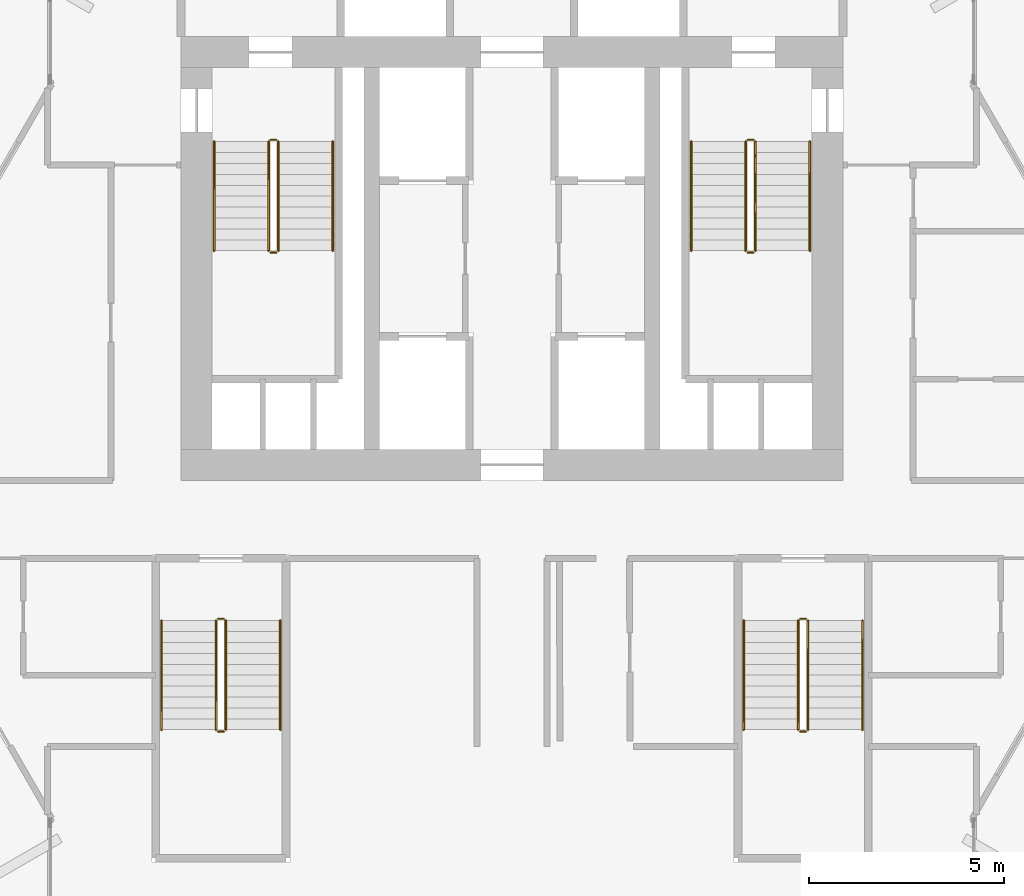
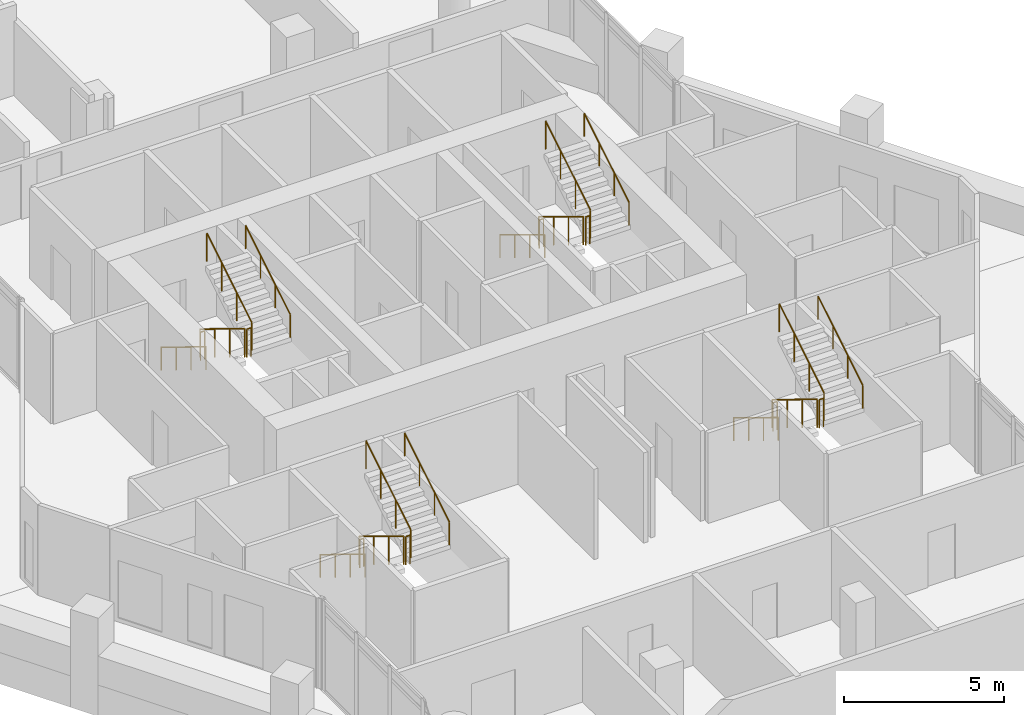
# One storey, part 38 of 38: 24 railings.
"""IFC4 building model written with IfcOpenShell, lengths in metres."""

from ifc_helpers import new_model, si_unit, direction, frame, origin, origin_2d, place, context, subcontext, project, spatial, circle, extrude, material, type_object, element, save


model = new_model("IFC4")

# Units and contexts
model_context = context("Model", 3, precision=1e-05, world=origin(), true_north=direction((0.0, 1.0)))
body_context = subcontext(model_context, "Body", "Model", "MODEL_VIEW")
ifc_project = project(units=[si_unit("LENGTHUNIT", "METRE"), si_unit("AREAUNIT", "SQUARE_METRE"), si_unit("VOLUMEUNIT", "CUBIC_METRE"), si_unit("PLANEANGLEUNIT", "RADIAN"), si_unit("MASSUNIT", "GRAM", prefix="KILO")], contexts=[model_context])

# Site, building, storey
site_placement = place(None, origin())
site = spatial("IfcSite", under=ifc_project, at=site_placement, CompositionType="ELEMENT")
building_placement = place(site_placement, origin())
building = spatial("IfcBuilding", under=site, at=building_placement, Name="Ostrander Bayou Hotel Tower", CompositionType="ELEMENT")
storey_placement = place(building_placement, frame((0.0, 0.0, 194.5)))
storey = spatial("IfcBuildingStorey", under=building, at=storey_placement, Name="L48", CompositionType="ELEMENT", Elevation=194.5)

# Railings
ifc_material_1 = material(Name="Steel ASTM A500 Gr C", Category="steel")
railing_type_1 = type_object("IfcRailingType", Name="GR1 stair guard 1100 mm steel", PredefinedType="GUARDRAIL", material=ifc_material_1)
railing_1_placement = place(storey_placement, frame((-6.25, 7.0, 0.17041015625)))
element("IfcRailing", 1, at=railing_1_placement, inside=storey, type_object=railing_type_1, Name="L48 STA stair guard 1", PredefinedType="GUARDRAIL", context=body_context, shape_type="SweptSolid", body=[
    extrude(circle(Radius=0.02392578125, at=origin_2d()), frame((0.0, 0.0, 1.076171875), z_axis=(0.0, -0.854169791009, 0.51999420009), x_axis=(1.0, 0.0, 0.0)), (0.0, 0.0, 1.0), 3.278076171875),
    extrude(circle(Radius=0.02099609375, at=origin_2d()), origin(), (0.0, 0.0, 1.0), 1.052001953125),
    extrude(circle(Radius=0.02099609375, at=origin_2d()), frame((0.0, -0.933349609375, 0.568115234375)), (0.0, 0.0, 1.0), 1.052001953125),
    extrude(circle(Radius=0.02099609375, at=origin_2d()), frame((0.0, -1.86669921875, 1.136474609375)), (0.0, 0.0, 1.0), 1.052001953125),
    extrude(circle(Radius=0.02099609375, at=origin_2d()), frame((0.0, -2.800048828125, 1.70458984375)), (0.0, 0.0, 1.0), 1.052001953125),
])
railing_2_placement = place(storey_placement, frame((-6.199951171875, 4.14990234375, 1.875)))
element("IfcRailing", 2, at=railing_2_placement, inside=storey, type_object=railing_type_1, Name="L48 STA stair guard 2", PredefinedType="GUARDRAIL", context=body_context, shape_type="SweptSolid", body=[
    extrude(circle(Radius=0.02392578125, at=origin_2d()), frame((0.0, 0.0, 1.076171875), z_axis=(1.0, 0.0, 0.0), x_axis=(0.0, 1.0, 0.0)), (0.0, 0.0, 1.0), 0.14990234375),
    extrude(circle(Radius=0.02099609375, at=origin_2d()), origin(), (0.0, 0.0, 1.0), 1.052001953125),
    extrude(circle(Radius=0.02099609375, at=origin_2d()), frame((0.14990234375, 0.0, 0.0)), (0.0, 0.0, 1.0), 1.052001953125),
])
railing_3_placement = place(storey_placement, frame((-6.0, 4.199951171875, 2.04541015625)))
element("IfcRailing", 3, at=railing_3_placement, inside=storey, type_object=railing_type_1, Name="L48 STA stair guard 3", PredefinedType="GUARDRAIL", context=body_context, shape_type="SweptSolid", body=[
    extrude(circle(Radius=0.02392578125, at=origin_2d()), frame((0.0, 0.0, 1.076171875), z_axis=(0.0, 0.854169791009, 0.51999420009), x_axis=(-1.0, 0.0, 0.0)), (0.0, 0.0, 1.0), 3.278076171875),
    extrude(circle(Radius=0.02099609375, at=origin_2d()), origin(), (0.0, 0.0, 1.0), 1.052001953125),
    extrude(circle(Radius=0.02099609375, at=origin_2d()), frame((0.0, 0.933349609375, 0.568115234375)), (0.0, 0.0, 1.0), 1.052001953125),
    extrude(circle(Radius=0.02099609375, at=origin_2d()), frame((0.0, 1.86669921875, 1.136474609375)), (0.0, 0.0, 1.0), 1.052001953125),
    extrude(circle(Radius=0.02099609375, at=origin_2d()), frame((0.0, 2.800048828125, 1.70458984375)), (0.0, 0.0, 1.0), 1.052001953125),
])
railing_4_placement = place(storey_placement, frame((-6.199951171875, 7.050048828125, 0.0)))
element("IfcRailing", 4, at=railing_4_placement, inside=storey, type_object=railing_type_1, Name="L48 STA stair guard 4", PredefinedType="GUARDRAIL", context=body_context, shape_type="SweptSolid", body=[
    extrude(circle(Radius=0.02392578125, at=origin_2d()), frame((0.0, 0.0, 1.076171875), z_axis=(1.0, 0.0, 0.0), x_axis=(0.0, 1.0, 0.0)), (0.0, 0.0, 1.0), 0.14990234375),
    extrude(circle(Radius=0.02099609375, at=origin_2d()), origin(), (0.0, 0.0, 1.0), 1.052001953125),
    extrude(circle(Radius=0.02099609375, at=origin_2d()), frame((0.14990234375, 0.0, 0.0)), (0.0, 0.0, 1.0), 1.052001953125),
])
railing_5_placement = place(storey_placement, frame((6.0, 7.0, 0.17041015625)))
element("IfcRailing", 5, at=railing_5_placement, inside=storey, type_object=railing_type_1, Name="L48 STB stair guard 1", PredefinedType="GUARDRAIL", context=body_context, shape_type="SweptSolid", body=[
    extrude(circle(Radius=0.02392578125, at=origin_2d()), frame((0.0, 0.0, 1.076171875), z_axis=(0.0, -0.854169791009, 0.51999420009), x_axis=(1.0, 0.0, 0.0)), (0.0, 0.0, 1.0), 3.278076171875),
    extrude(circle(Radius=0.02099609375, at=origin_2d()), origin(), (0.0, 0.0, 1.0), 1.052001953125),
    extrude(circle(Radius=0.02099609375, at=origin_2d()), frame((0.0, -0.933349609375, 0.568115234375)), (0.0, 0.0, 1.0), 1.052001953125),
    extrude(circle(Radius=0.02099609375, at=origin_2d()), frame((0.0, -1.86669921875, 1.136474609375)), (0.0, 0.0, 1.0), 1.052001953125),
    extrude(circle(Radius=0.02099609375, at=origin_2d()), frame((0.0, -2.800048828125, 1.70458984375)), (0.0, 0.0, 1.0), 1.052001953125),
])
railing_6_placement = place(storey_placement, frame((6.050048828125, 4.14990234375, 1.875)))
element("IfcRailing", 6, at=railing_6_placement, inside=storey, type_object=railing_type_1, Name="L48 STB stair guard 2", PredefinedType="GUARDRAIL", context=body_context, shape_type="SweptSolid", body=[
    extrude(circle(Radius=0.02392578125, at=origin_2d()), frame((0.0, 0.0, 1.076171875), z_axis=(1.0, 0.0, 0.0), x_axis=(0.0, 1.0, 0.0)), (0.0, 0.0, 1.0), 0.14990234375),
    extrude(circle(Radius=0.02099609375, at=origin_2d()), origin(), (0.0, 0.0, 1.0), 1.052001953125),
    extrude(circle(Radius=0.02099609375, at=origin_2d()), frame((0.14990234375, 0.0, 0.0)), (0.0, 0.0, 1.0), 1.052001953125),
])
railing_7_placement = place(storey_placement, frame((6.25, 4.199951171875, 2.04541015625)))
element("IfcRailing", 7, at=railing_7_placement, inside=storey, type_object=railing_type_1, Name="L48 STB stair guard 3", PredefinedType="GUARDRAIL", context=body_context, shape_type="SweptSolid", body=[
    extrude(circle(Radius=0.02392578125, at=origin_2d()), frame((0.0, 0.0, 1.076171875), z_axis=(0.0, 0.854169791009, 0.51999420009), x_axis=(-1.0, 0.0, 0.0)), (0.0, 0.0, 1.0), 3.278076171875),
    extrude(circle(Radius=0.02099609375, at=origin_2d()), origin(), (0.0, 0.0, 1.0), 1.052001953125),
    extrude(circle(Radius=0.02099609375, at=origin_2d()), frame((0.0, 0.933349609375, 0.568115234375)), (0.0, 0.0, 1.0), 1.052001953125),
    extrude(circle(Radius=0.02099609375, at=origin_2d()), frame((0.0, 1.86669921875, 1.136474609375)), (0.0, 0.0, 1.0), 1.052001953125),
    extrude(circle(Radius=0.02099609375, at=origin_2d()), frame((0.0, 2.800048828125, 1.70458984375)), (0.0, 0.0, 1.0), 1.052001953125),
])
railing_8_placement = place(storey_placement, frame((6.050048828125, 7.050048828125, 0.0)))
element("IfcRailing", 8, at=railing_8_placement, inside=storey, type_object=railing_type_1, Name="L48 STB stair guard 4", PredefinedType="GUARDRAIL", context=body_context, shape_type="SweptSolid", body=[
    extrude(circle(Radius=0.02392578125, at=origin_2d()), frame((0.0, 0.0, 1.076171875), z_axis=(1.0, 0.0, 0.0), x_axis=(0.0, 1.0, 0.0)), (0.0, 0.0, 1.0), 0.14990234375),
    extrude(circle(Radius=0.02099609375, at=origin_2d()), origin(), (0.0, 0.0, 1.0), 1.052001953125),
    extrude(circle(Radius=0.02099609375, at=origin_2d()), frame((0.14990234375, 0.0, 0.0)), (0.0, 0.0, 1.0), 1.052001953125),
])
railing_9_placement = place(storey_placement, frame((7.35009765625, -5.300048828125, 0.17041015625)))
element("IfcRailing", 9, at=railing_9_placement, inside=storey, type_object=railing_type_1, Name="L48 STC stair guard 1", PredefinedType="GUARDRAIL", context=body_context, shape_type="SweptSolid", body=[
    extrude(circle(Radius=0.02392578125, at=origin_2d()), frame((0.0, 0.0, 1.076171875), z_axis=(0.0, -0.854169791009, 0.51999420009), x_axis=(1.0, 0.0, 0.0)), (0.0, 0.0, 1.0), 3.278076171875),
    extrude(circle(Radius=0.02099609375, at=origin_2d()), origin(), (0.0, 0.0, 1.0), 1.052001953125),
    extrude(circle(Radius=0.02099609375, at=origin_2d()), frame((0.0, -0.933349609375, 0.568115234375)), (0.0, 0.0, 1.0), 1.052001953125),
    extrude(circle(Radius=0.02099609375, at=origin_2d()), frame((0.0, -1.86669921875, 1.136474609375)), (0.0, 0.0, 1.0), 1.052001953125),
    extrude(circle(Radius=0.02099609375, at=origin_2d()), frame((0.0, -2.800048828125, 1.70458984375)), (0.0, 0.0, 1.0), 1.052001953125),
])
railing_10_placement = place(storey_placement, frame((7.39990234375, -8.14990234375, 1.875)))
element("IfcRailing", 10, at=railing_10_placement, inside=storey, type_object=railing_type_1, Name="L48 STC stair guard 2", PredefinedType="GUARDRAIL", context=body_context, shape_type="SweptSolid", body=[
    extrude(circle(Radius=0.02392578125, at=origin_2d()), frame((0.0, 0.0, 1.076171875), z_axis=(1.0, 0.0, 0.0), x_axis=(0.0, 1.0, 0.0)), (0.0, 0.0, 1.0), 0.150146484375),
    extrude(circle(Radius=0.02099609375, at=origin_2d()), origin(), (0.0, 0.0, 1.0), 1.052001953125),
    extrude(circle(Radius=0.02099609375, at=origin_2d()), frame((0.150146484375, 0.0, 0.0)), (0.0, 0.0, 1.0), 1.052001953125),
])
railing_11_placement = place(storey_placement, frame((7.60009765625, -8.10009765625, 2.04541015625)))
element("IfcRailing", 11, at=railing_11_placement, inside=storey, type_object=railing_type_1, Name="L48 STC stair guard 3", PredefinedType="GUARDRAIL", context=body_context, shape_type="SweptSolid", body=[
    extrude(circle(Radius=0.02392578125, at=origin_2d()), frame((0.0, 0.0, 1.076171875), z_axis=(0.0, 0.854169791009, 0.51999420009), x_axis=(-1.0, 0.0, 0.0)), (0.0, 0.0, 1.0), 3.278076171875),
    extrude(circle(Radius=0.02099609375, at=origin_2d()), origin(), (0.0, 0.0, 1.0), 1.052001953125),
    extrude(circle(Radius=0.02099609375, at=origin_2d()), frame((0.0, 0.933349609375, 0.568115234375)), (0.0, 0.0, 1.0), 1.052001953125),
    extrude(circle(Radius=0.02099609375, at=origin_2d()), frame((0.0, 1.86669921875, 1.136474609375)), (0.0, 0.0, 1.0), 1.052001953125),
    extrude(circle(Radius=0.02099609375, at=origin_2d()), frame((0.0, 2.800048828125, 1.70458984375)), (0.0, 0.0, 1.0), 1.052001953125),
])
railing_12_placement = place(storey_placement, frame((7.39990234375, -5.25, 0.0)))
element("IfcRailing", 12, at=railing_12_placement, inside=storey, type_object=railing_type_1, Name="L48 STC stair guard 4", PredefinedType="GUARDRAIL", context=body_context, shape_type="SweptSolid", body=[
    extrude(circle(Radius=0.02392578125, at=origin_2d()), frame((0.0, 0.0, 1.076171875), z_axis=(1.0, 0.0, 0.0), x_axis=(0.0, 1.0, 0.0)), (0.0, 0.0, 1.0), 0.150146484375),
    extrude(circle(Radius=0.02099609375, at=origin_2d()), origin(), (0.0, 0.0, 1.0), 1.052001953125),
    extrude(circle(Radius=0.02099609375, at=origin_2d()), frame((0.150146484375, 0.0, 0.0)), (0.0, 0.0, 1.0), 1.052001953125),
])
railing_13_placement = place(storey_placement, frame((-7.60009765625, -5.300048828125, 0.17041015625)))
element("IfcRailing", 13, at=railing_13_placement, inside=storey, type_object=railing_type_1, Name="L48 STD stair guard 1", PredefinedType="GUARDRAIL", context=body_context, shape_type="SweptSolid", body=[
    extrude(circle(Radius=0.02392578125, at=origin_2d()), frame((0.0, 0.0, 1.076171875), z_axis=(0.0, -0.854169791009, 0.51999420009), x_axis=(1.0, 0.0, 0.0)), (0.0, 0.0, 1.0), 3.278076171875),
    extrude(circle(Radius=0.02099609375, at=origin_2d()), origin(), (0.0, 0.0, 1.0), 1.052001953125),
    extrude(circle(Radius=0.02099609375, at=origin_2d()), frame((0.0, -0.933349609375, 0.568115234375)), (0.0, 0.0, 1.0), 1.052001953125),
    extrude(circle(Radius=0.02099609375, at=origin_2d()), frame((0.0, -1.86669921875, 1.136474609375)), (0.0, 0.0, 1.0), 1.052001953125),
    extrude(circle(Radius=0.02099609375, at=origin_2d()), frame((0.0, -2.800048828125, 1.70458984375)), (0.0, 0.0, 1.0), 1.052001953125),
])
railing_14_placement = place(storey_placement, frame((-7.550048828125, -8.14990234375, 1.875)))
element("IfcRailing", 14, at=railing_14_placement, inside=storey, type_object=railing_type_1, Name="L48 STD stair guard 2", PredefinedType="GUARDRAIL", context=body_context, shape_type="SweptSolid", body=[
    extrude(circle(Radius=0.02392578125, at=origin_2d()), frame((0.0, 0.0, 1.076171875), z_axis=(1.0, 0.0, 0.0), x_axis=(0.0, 1.0, 0.0)), (0.0, 0.0, 1.0), 0.150146484375),
    extrude(circle(Radius=0.02099609375, at=origin_2d()), origin(), (0.0, 0.0, 1.0), 1.052001953125),
    extrude(circle(Radius=0.02099609375, at=origin_2d()), frame((0.150146484375, 0.0, 0.0)), (0.0, 0.0, 1.0), 1.052001953125),
])
railing_15_placement = place(storey_placement, frame((-7.35009765625, -8.10009765625, 2.04541015625)))
element("IfcRailing", 15, at=railing_15_placement, inside=storey, type_object=railing_type_1, Name="L48 STD stair guard 3", PredefinedType="GUARDRAIL", context=body_context, shape_type="SweptSolid", body=[
    extrude(circle(Radius=0.02392578125, at=origin_2d()), frame((0.0, 0.0, 1.076171875), z_axis=(0.0, 0.854169791009, 0.51999420009), x_axis=(-1.0, 0.0, 0.0)), (0.0, 0.0, 1.0), 3.278076171875),
    extrude(circle(Radius=0.02099609375, at=origin_2d()), origin(), (0.0, 0.0, 1.0), 1.052001953125),
    extrude(circle(Radius=0.02099609375, at=origin_2d()), frame((0.0, 0.933349609375, 0.568115234375)), (0.0, 0.0, 1.0), 1.052001953125),
    extrude(circle(Radius=0.02099609375, at=origin_2d()), frame((0.0, 1.86669921875, 1.136474609375)), (0.0, 0.0, 1.0), 1.052001953125),
    extrude(circle(Radius=0.02099609375, at=origin_2d()), frame((0.0, 2.800048828125, 1.70458984375)), (0.0, 0.0, 1.0), 1.052001953125),
])
railing_16_placement = place(storey_placement, frame((-7.550048828125, -5.25, 0.0)))
element("IfcRailing", 16, at=railing_16_placement, inside=storey, type_object=railing_type_1, Name="L48 STD stair guard 4", PredefinedType="GUARDRAIL", context=body_context, shape_type="SweptSolid", body=[
    extrude(circle(Radius=0.02392578125, at=origin_2d()), frame((0.0, 0.0, 1.076171875), z_axis=(1.0, 0.0, 0.0), x_axis=(0.0, 1.0, 0.0)), (0.0, 0.0, 1.0), 0.150146484375),
    extrude(circle(Radius=0.02099609375, at=origin_2d()), origin(), (0.0, 0.0, 1.0), 1.052001953125),
    extrude(circle(Radius=0.02099609375, at=origin_2d()), frame((0.150146484375, 0.0, 0.0)), (0.0, 0.0, 1.0), 1.052001953125),
])
ifc_material_2 = material(Name="Steel ASTM A500 Gr C", Category="steel")
railing_type_2 = type_object("IfcRailingType", Name="HR1 stair handrail 900 mm steel", PredefinedType="HANDRAIL", material=ifc_material_2)
railing_17_placement = place(storey_placement, frame((-7.64990234375, 7.0, 0.17041015625)))
element("IfcRailing", 17, at=railing_17_placement, inside=storey, type_object=railing_type_2, Name="L48 STA stair handrail 1", PredefinedType="HANDRAIL", context=body_context, shape_type="SweptSolid", body=[
    extrude(circle(Radius=0.02392578125, at=origin_2d()), frame((0.0, 0.0, 0.8759765625), z_axis=(0.0, -0.854169791009, 0.51999420009), x_axis=(1.0, 0.0, 0.0)), (0.0, 0.0, 1.0), 3.278076171875),
    extrude(circle(Radius=0.02099609375, at=origin_2d()), origin(), (0.0, 0.0, 1.0), 0.851806640625),
    extrude(circle(Radius=0.02099609375, at=origin_2d()), frame((0.0, -0.933349609375, 0.568115234375)), (0.0, 0.0, 1.0), 0.851806640625),
    extrude(circle(Radius=0.02099609375, at=origin_2d()), frame((0.0, -1.86669921875, 1.136474609375)), (0.0, 0.0, 1.0), 0.851806640625),
    extrude(circle(Radius=0.02099609375, at=origin_2d()), frame((0.0, -2.800048828125, 1.70458984375)), (0.0, 0.0, 1.0), 0.851806640625),
])
railing_18_placement = place(storey_placement, frame((-4.60009765625, 4.199951171875, 2.04541015625)))
element("IfcRailing", 18, at=railing_18_placement, inside=storey, type_object=railing_type_2, Name="L48 STA stair handrail 2", PredefinedType="HANDRAIL", context=body_context, shape_type="SweptSolid", body=[
    extrude(circle(Radius=0.02392578125, at=origin_2d()), frame((0.0, 0.0, 0.8759765625), z_axis=(0.0, 0.854169791009, 0.51999420009), x_axis=(-1.0, 0.0, 0.0)), (0.0, 0.0, 1.0), 3.278076171875),
    extrude(circle(Radius=0.02099609375, at=origin_2d()), origin(), (0.0, 0.0, 1.0), 0.851806640625),
    extrude(circle(Radius=0.02099609375, at=origin_2d()), frame((0.0, 0.933349609375, 0.568115234375)), (0.0, 0.0, 1.0), 0.851806640625),
    extrude(circle(Radius=0.02099609375, at=origin_2d()), frame((0.0, 1.86669921875, 1.136474609375)), (0.0, 0.0, 1.0), 0.851806640625),
    extrude(circle(Radius=0.02099609375, at=origin_2d()), frame((0.0, 2.800048828125, 1.70458984375)), (0.0, 0.0, 1.0), 0.851806640625),
])
railing_19_placement = place(storey_placement, frame((4.60009765625, 7.0, 0.17041015625)))
element("IfcRailing", 19, at=railing_19_placement, inside=storey, type_object=railing_type_2, Name="L48 STB stair handrail 1", PredefinedType="HANDRAIL", context=body_context, shape_type="SweptSolid", body=[
    extrude(circle(Radius=0.02392578125, at=origin_2d()), frame((0.0, 0.0, 0.8759765625), z_axis=(0.0, -0.854169791009, 0.51999420009), x_axis=(1.0, 0.0, 0.0)), (0.0, 0.0, 1.0), 3.278076171875),
    extrude(circle(Radius=0.02099609375, at=origin_2d()), origin(), (0.0, 0.0, 1.0), 0.851806640625),
    extrude(circle(Radius=0.02099609375, at=origin_2d()), frame((0.0, -0.933349609375, 0.568115234375)), (0.0, 0.0, 1.0), 0.851806640625),
    extrude(circle(Radius=0.02099609375, at=origin_2d()), frame((0.0, -1.86669921875, 1.136474609375)), (0.0, 0.0, 1.0), 0.851806640625),
    extrude(circle(Radius=0.02099609375, at=origin_2d()), frame((0.0, -2.800048828125, 1.70458984375)), (0.0, 0.0, 1.0), 0.851806640625),
])
railing_20_placement = place(storey_placement, frame((7.64990234375, 4.199951171875, 2.04541015625)))
element("IfcRailing", 20, at=railing_20_placement, inside=storey, type_object=railing_type_2, Name="L48 STB stair handrail 2", PredefinedType="HANDRAIL", context=body_context, shape_type="SweptSolid", body=[
    extrude(circle(Radius=0.02392578125, at=origin_2d()), frame((0.0, 0.0, 0.8759765625), z_axis=(0.0, 0.854169791009, 0.51999420009), x_axis=(-1.0, 0.0, 0.0)), (0.0, 0.0, 1.0), 3.278076171875),
    extrude(circle(Radius=0.02099609375, at=origin_2d()), origin(), (0.0, 0.0, 1.0), 0.851806640625),
    extrude(circle(Radius=0.02099609375, at=origin_2d()), frame((0.0, 0.933349609375, 0.568115234375)), (0.0, 0.0, 1.0), 0.851806640625),
    extrude(circle(Radius=0.02099609375, at=origin_2d()), frame((0.0, 1.86669921875, 1.136474609375)), (0.0, 0.0, 1.0), 0.851806640625),
    extrude(circle(Radius=0.02099609375, at=origin_2d()), frame((0.0, 2.800048828125, 1.70458984375)), (0.0, 0.0, 1.0), 0.851806640625),
])
railing_21_placement = place(storey_placement, frame((5.949951171875, -5.300048828125, 0.17041015625)))
element("IfcRailing", 21, at=railing_21_placement, inside=storey, type_object=railing_type_2, Name="L48 STC stair handrail 1", PredefinedType="HANDRAIL", context=body_context, shape_type="SweptSolid", body=[
    extrude(circle(Radius=0.02392578125, at=origin_2d()), frame((0.0, 0.0, 0.8759765625), z_axis=(0.0, -0.854169791009, 0.51999420009), x_axis=(1.0, 0.0, 0.0)), (0.0, 0.0, 1.0), 3.278076171875),
    extrude(circle(Radius=0.02099609375, at=origin_2d()), origin(), (0.0, 0.0, 1.0), 0.851806640625),
    extrude(circle(Radius=0.02099609375, at=origin_2d()), frame((0.0, -0.933349609375, 0.568115234375)), (0.0, 0.0, 1.0), 0.851806640625),
    extrude(circle(Radius=0.02099609375, at=origin_2d()), frame((0.0, -1.86669921875, 1.136474609375)), (0.0, 0.0, 1.0), 0.851806640625),
    extrude(circle(Radius=0.02099609375, at=origin_2d()), frame((0.0, -2.800048828125, 1.70458984375)), (0.0, 0.0, 1.0), 0.851806640625),
])
railing_22_placement = place(storey_placement, frame((9.0, -8.10009765625, 2.04541015625)))
element("IfcRailing", 22, at=railing_22_placement, inside=storey, type_object=railing_type_2, Name="L48 STC stair handrail 2", PredefinedType="HANDRAIL", context=body_context, shape_type="SweptSolid", body=[
    extrude(circle(Radius=0.02392578125, at=origin_2d()), frame((0.0, 0.0, 0.8759765625), z_axis=(0.0, 0.854169791009, 0.51999420009), x_axis=(-1.0, 0.0, 0.0)), (0.0, 0.0, 1.0), 3.278076171875),
    extrude(circle(Radius=0.02099609375, at=origin_2d()), origin(), (0.0, 0.0, 1.0), 0.851806640625),
    extrude(circle(Radius=0.02099609375, at=origin_2d()), frame((0.0, 0.933349609375, 0.568115234375)), (0.0, 0.0, 1.0), 0.851806640625),
    extrude(circle(Radius=0.02099609375, at=origin_2d()), frame((0.0, 1.86669921875, 1.136474609375)), (0.0, 0.0, 1.0), 0.851806640625),
    extrude(circle(Radius=0.02099609375, at=origin_2d()), frame((0.0, 2.800048828125, 1.70458984375)), (0.0, 0.0, 1.0), 0.851806640625),
])
railing_23_placement = place(storey_placement, frame((-9.0, -5.300048828125, 0.17041015625)))
element("IfcRailing", 23, at=railing_23_placement, inside=storey, type_object=railing_type_2, Name="L48 STD stair handrail 1", PredefinedType="HANDRAIL", context=body_context, shape_type="SweptSolid", body=[
    extrude(circle(Radius=0.02392578125, at=origin_2d()), frame((0.0, 0.0, 0.8759765625), z_axis=(0.0, -0.854169791009, 0.51999420009), x_axis=(1.0, 0.0, 0.0)), (0.0, 0.0, 1.0), 3.278076171875),
    extrude(circle(Radius=0.02099609375, at=origin_2d()), origin(), (0.0, 0.0, 1.0), 0.851806640625),
    extrude(circle(Radius=0.02099609375, at=origin_2d()), frame((0.0, -0.933349609375, 0.568115234375)), (0.0, 0.0, 1.0), 0.851806640625),
    extrude(circle(Radius=0.02099609375, at=origin_2d()), frame((0.0, -1.86669921875, 1.136474609375)), (0.0, 0.0, 1.0), 0.851806640625),
    extrude(circle(Radius=0.02099609375, at=origin_2d()), frame((0.0, -2.800048828125, 1.70458984375)), (0.0, 0.0, 1.0), 0.851806640625),
])
railing_24_placement = place(storey_placement, frame((-5.949951171875, -8.10009765625, 2.04541015625)))
element("IfcRailing", 24, at=railing_24_placement, inside=storey, type_object=railing_type_2, Name="L48 STD stair handrail 2", PredefinedType="HANDRAIL", context=body_context, shape_type="SweptSolid", body=[
    extrude(circle(Radius=0.02392578125, at=origin_2d()), frame((0.0, 0.0, 0.8759765625), z_axis=(0.0, 0.854169791009, 0.51999420009), x_axis=(-1.0, 0.0, 0.0)), (0.0, 0.0, 1.0), 3.278076171875),
    extrude(circle(Radius=0.02099609375, at=origin_2d()), origin(), (0.0, 0.0, 1.0), 0.851806640625),
    extrude(circle(Radius=0.02099609375, at=origin_2d()), frame((0.0, 0.933349609375, 0.568115234375)), (0.0, 0.0, 1.0), 0.851806640625),
    extrude(circle(Radius=0.02099609375, at=origin_2d()), frame((0.0, 1.86669921875, 1.136474609375)), (0.0, 0.0, 1.0), 0.851806640625),
    extrude(circle(Radius=0.02099609375, at=origin_2d()), frame((0.0, 2.800048828125, 1.70458984375)), (0.0, 0.0, 1.0), 0.851806640625),
])

save(model, "model.ifc")
